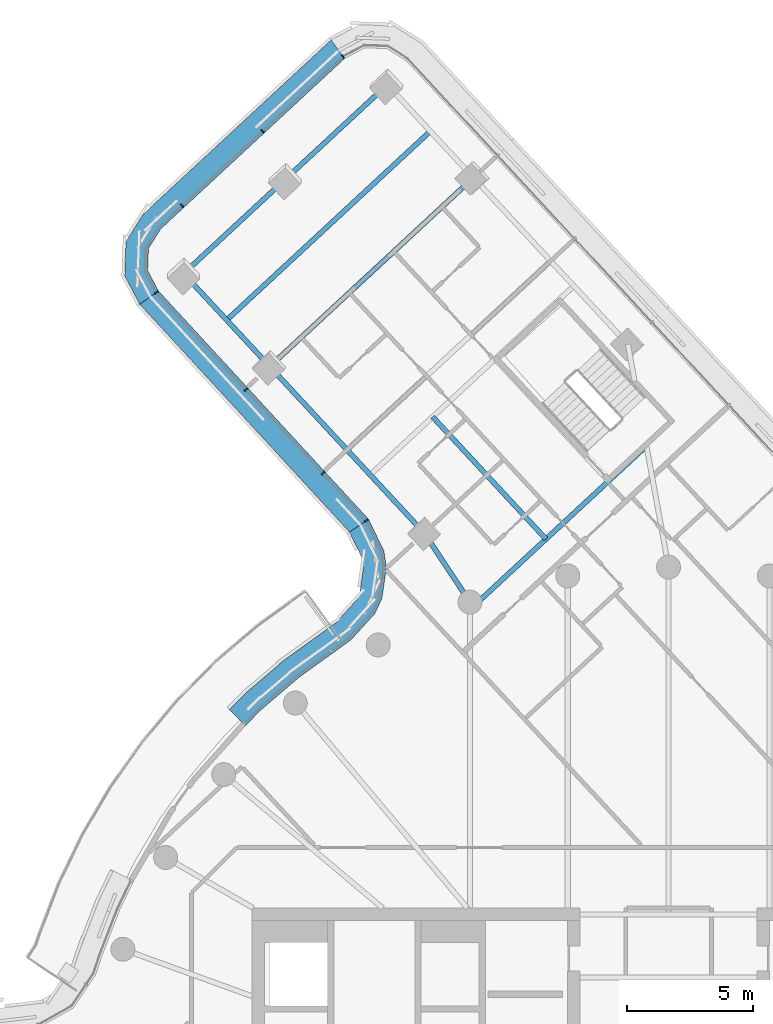
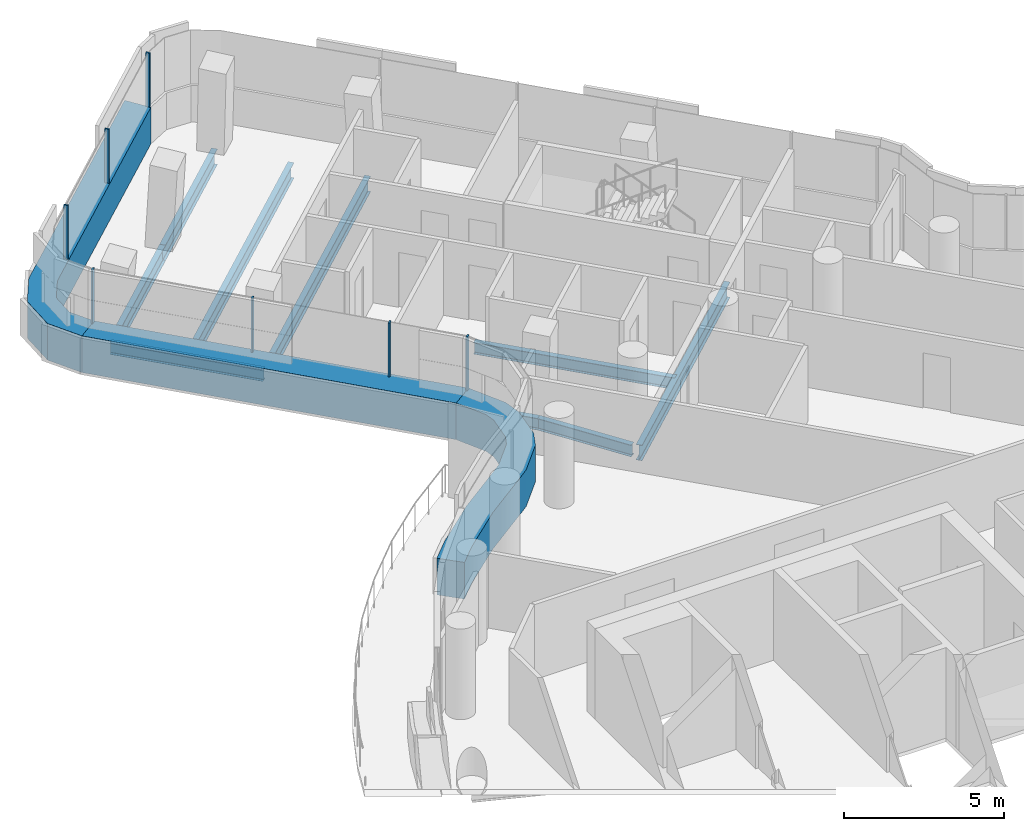
# One storey, part 15 of 34: 10 members, 9 beams, 3 elements without a shape of their own.
"""IFC4 building model written with IfcOpenShell, lengths in metres."""

from ifc_helpers import new_model, si_unit, direction, frame, origin, origin_2d, place, context, subcontext, project, spatial, polyline, rectangle, i_section, outline, extrude, material, layer, layer_set, material_profile, profile_set, type_object, element, aggregate, save


model = new_model("IFC4")

# Units and contexts
model_context = context("Model", 3, precision=1e-05, world=origin(), true_north=direction((0.0, 1.0)))
body_context = subcontext(model_context, "Body", "Model", "MODEL_VIEW")
ifc_project = project(units=[si_unit("LENGTHUNIT", "METRE"), si_unit("AREAUNIT", "SQUARE_METRE"), si_unit("VOLUMEUNIT", "CUBIC_METRE"), si_unit("PLANEANGLEUNIT", "RADIAN"), si_unit("MASSUNIT", "GRAM", prefix="KILO")], contexts=[model_context])

# Site, building, storey
site_placement = place(None, origin())
site = spatial("IfcSite", under=ifc_project, at=site_placement, CompositionType="ELEMENT")
building_placement = place(site_placement, origin())
building = spatial("IfcBuilding", under=site, at=building_placement, Name="Tamarind Cross Interchange Tower", CompositionType="ELEMENT")
storey_placement = place(building_placement, frame((0.0, 0.0, 189.699951171875)))
storey = spatial("IfcBuildingStorey", under=building, at=storey_placement, Name="L47", CompositionType="ELEMENT", Elevation=189.699951171875)

# Beams
ifc_material_1 = material(Name="Steel Q355B", Category="steel")
ifc_material_profile_1 = material_profile(ifc_material_1, i_section(OverallWidth=0.198974609375, OverallDepth=0.446044921875, WebThickness=0.008056640625, FlangeThickness=0.011962890625, FilletRadius=0.012939453125, at=origin_2d()), Name="HN 446x199x8x12")
ifc_profile_set_1 = profile_set([ifc_material_profile_1], Name="Steel Q355B")
beam_type_1 = type_object("IfcBeamType", Name="Composite beam HN 446x199x8x12 Q355B", PredefinedType="BEAM", material=ifc_profile_set_1)
beam_1_placement = place(storey_placement, frame((-19.207763671875, 34.62646484375, -0.363037109375), z_axis=(0.679919112762, -0.733287119824, 0.0), x_axis=(0.733287119824, 0.679919112762, 0.0)))
element("IfcBeam", 1, at=beam_1_placement, inside=storey, type_object=beam_type_1, Name="Beam N-edgeep2", PredefinedType="BEAM", context=body_context, shape_type="SweptSolid", body=[
    extrude(i_section(OverallWidth=0.198974609375, OverallDepth=0.446044921875, WebThickness=0.008056640625, FlangeThickness=0.011962890625, FilletRadius=0.012939453125, at=origin_2d()), origin(), (0.0, 0.0, 1.0), 5.018310546875),
])
beam_2_placement = place(storey_placement, frame((-15.795654296875, 30.946533203125, -0.363037109375), z_axis=(0.679924447682, -0.73328217314, 0.0), x_axis=(0.73328217314, 0.679924447682, 0.0)))
element("IfcBeam", 2, at=beam_2_placement, inside=storey, type_object=beam_type_1, Name="Beam N-edgeep3", PredefinedType="BEAM", context=body_context, shape_type="SweptSolid", body=[
    extrude(i_section(OverallWidth=0.198974609375, OverallDepth=0.446044921875, WebThickness=0.008056640625, FlangeThickness=0.011962890625, FilletRadius=0.012939453125, at=origin_2d()), origin(), (0.0, 0.0, 1.0), 9.0),
])
beam_3_placement = place(storey_placement, frame((-9.67626953125, 24.346923828125, -0.363037109375), z_axis=(0.551999403205, -0.833844505206, 0.0), x_axis=(0.833844505206, 0.551999403205, 0.0)))
element("IfcBeam", 3, at=beam_3_placement, inside=storey, type_object=beam_type_1, Name="Beam N-linkep", PredefinedType="BEAM", context=body_context, shape_type="SweptSolid", body=[
    extrude(i_section(OverallWidth=0.198974609375, OverallDepth=0.446044921875, WebThickness=0.008056640625, FlangeThickness=0.011962890625, FilletRadius=0.012939453125, at=origin_2d()), origin(), (0.0, 0.0, 1.0), 3.278564453125),
])
beam_4_placement = place(storey_placement, frame((-4.855712890625, 24.111572265625, -0.363037109375), z_axis=(-0.679914611684, 0.733291293293, 0.0), x_axis=(-0.733291293293, -0.679914611684, 0.0)))
element("IfcBeam", 4, at=beam_4_placement, inside=storey, type_object=beam_type_1, Name="Beam N-stripp", PredefinedType="BEAM", context=body_context, shape_type="SweptSolid", body=[
    extrude(i_section(OverallWidth=0.198974609375, OverallDepth=0.446044921875, WebThickness=0.008056640625, FlangeThickness=0.011962890625, FilletRadius=0.012939453125, at=origin_2d()), origin(), (0.0, 0.0, 1.0), 6.60009765625),
])
ifc_material_profile_2 = material_profile(ifc_material_1, i_section(OverallWidth=0.198974609375, OverallDepth=0.595947265625, WebThickness=0.010009765625, FlangeThickness=0.014892578125, FilletRadius=0.012939453125, at=origin_2d()), Name="HN 596x199x10x15")
ifc_profile_set_2 = profile_set([ifc_material_profile_2], Name="Steel Q355B")
beam_type_2 = type_object("IfcBeamType", Name="Composite beam HN 596x199x10x15 Q355B", PredefinedType="BEAM", material=ifc_profile_set_2)
beam_5_placement = place(storey_placement, frame((-11.1416015625, 42.10546875, -0.43798828125), z_axis=(-0.733281838279, -0.679924808821, 0.0), x_axis=(0.679924808821, -0.733281838279, 0.0)))
element("IfcBeam", 5, at=beam_5_placement, inside=storey, type_object=beam_type_2, Name="Beam N-tip0", PredefinedType="BEAM", context=body_context, shape_type="SweptSolid", body=[
    extrude(i_section(OverallWidth=0.198974609375, OverallDepth=0.595947265625, WebThickness=0.010009765625, FlangeThickness=0.014892578125, FilletRadius=0.012939453125, at=origin_2d()), origin(), (0.0, 0.0, 1.0), 5.499755859375),
])
beam_6_placement = place(storey_placement, frame((-15.174560546875, 38.365966796875, -0.43798828125), z_axis=(-0.73330235877, -0.679902677317, 0.0), x_axis=(0.679902677317, -0.73330235877, 0.0)))
element("IfcBeam", 6, at=beam_6_placement, inside=storey, type_object=beam_type_2, Name="Beam N-tip1", PredefinedType="BEAM", context=body_context, shape_type="SweptSolid", body=[
    extrude(i_section(OverallWidth=0.198974609375, OverallDepth=0.595947265625, WebThickness=0.010009765625, FlangeThickness=0.014892578125, FilletRadius=0.012939453125, at=origin_2d()), origin(), (0.0, 0.0, 1.0), 5.5),
])
beam_7_placement = place(storey_placement, frame((-0.8759765625, 27.8017578125, -0.43798828125), z_axis=(-0.733295423835, -0.679910156846, 0.0), x_axis=(0.679910156846, -0.733295423835, 0.0)))
element("IfcBeam", 7, at=beam_7_placement, inside=storey, type_object=beam_type_2, Name="Beam N-x268", PredefinedType="BEAM", context=body_context, shape_type="SweptSolid", body=[
    extrude(i_section(OverallWidth=0.198974609375, OverallDepth=0.595947265625, WebThickness=0.010009765625, FlangeThickness=0.014892578125, FilletRadius=0.012939453125, at=origin_2d()), origin(), (0.0, 0.0, 1.0), 9.333984375),
])
for number, where, z_axis, x_axis, name in (
    (8, (-7.7294921875, 38.425537109375, -0.43798828125), (-0.733292098775, -0.679913742966, 0.0), (0.679913742966, -0.733292098775, 0.0), "Beam N-x393"),
    (9, (-9.435546875, 40.265380859375, -0.43798828125), (-0.733292098775, -0.679913742966, 0.0), (0.679913742966, -0.733292098775, 0.0), "Beam N-x418"),
):
    element("IfcBeam", number, at=place(storey_placement, frame(where, z_axis=z_axis, x_axis=x_axis)), inside=storey, type_object=beam_type_2, Name=name, PredefinedType="BEAM", context=body_context, shape_type="SweptSolid", body=[
        extrude(i_section(OverallWidth=0.198974609375, OverallDepth=0.595947265625, WebThickness=0.010009765625, FlangeThickness=0.014892578125, FilletRadius=0.012939453125, at=origin_2d()), origin(), (0.0, 0.0, 1.0), 11.0),
    ])

# Curtain wall, member
ifc_material_2 = material(Name="Aluminium 6063-T6", Category="aluminium")
ifc_layer = layer(ifc_material_2, 0.139892578125)
ifc_layer_set = layer_set([ifc_layer], Name="Aluminium 6063-T6")
curtain_wall_type = type_object("IfcCurtainWallType", Name="Hotel curtain wall, 4.5 m bays", PredefinedType="NOTDEFINED", material=ifc_layer_set)
curtain_wall_1_placement = place(storey_placement, origin())
curtain_wall_1 = element("IfcCurtainWall", 10, at=curtain_wall_1_placement, inside=storey, type_object=curtain_wall_type, Name="CWS-L47-04", PredefinedType="NOTDEFINED")
ifc_material_3 = material(Name="Aluminium and insulated spandrel panel", Category="aluminium")
member_type_1 = type_object("IfcMemberType", Name="Floor-edge blade transom", PredefinedType="USERDEFINED", material=ifc_material_3)
member_1_placement = place(storey_placement, origin())
member_1 = element("IfcMember", 11, at=member_1_placement, type_object=member_type_1, Name="CWT-L47-04", ObjectType="TRANSOM", PredefinedType="USERDEFINED", context=body_context, shape_type="SweptSolid", body=[
    extrude(outline(polyline([(-12.83740234375, 43.14111328125), (-20.112548828125, 36.395751953125), (-20.599853515625, 35.620849609375), (-20.6328125, 34.746826171875), (-20.205078125, 33.93701171875), (-20.9462890625, 33.413330078125), (-21.541259765625, 34.539794921875), (-21.489990234375, 35.895751953125), (-20.811279296875, 36.97509765625), (-13.362548828125, 43.881591796875), (-12.83740234375, 43.14111328125)])), origin(), (0.0, 0.0, 1.0), 1.400146484375),
])

curtain_wall_2_placement = place(storey_placement, origin())
curtain_wall_2 = element("IfcCurtainWall", 12, at=curtain_wall_2_placement, inside=storey, type_object=curtain_wall_type, Name="CWS-L47-05", PredefinedType="NOTDEFINED")
member_2_placement = place(storey_placement, origin())
member_2 = element("IfcMember", 13, at=member_2_placement, type_object=member_type_1, Name="CWT-L47-05", ObjectType="TRANSOM", PredefinedType="USERDEFINED", context=body_context, shape_type="SweptSolid", body=[
    extrude(outline(polyline([(-20.205078125, 33.93701171875), (-11.88623046875, 24.901123046875), (-12.638427734375, 24.38916015625), (-20.9462890625, 33.413330078125), (-20.205078125, 33.93701171875)])), origin(), (0.0, 0.0, 1.0), 1.400146484375),
])

curtain_wall_3_placement = place(storey_placement, origin())
curtain_wall_3 = element("IfcCurtainWall", 14, at=curtain_wall_3_placement, inside=storey, type_object=curtain_wall_type, Name="CWS-L47-06", PredefinedType="NOTDEFINED")
member_3_placement = place(storey_placement, origin())
member_3 = element("IfcMember", 15, at=member_3_placement, type_object=member_type_1, Name="CWT-L47-06-0", ObjectType="TRANSOM", PredefinedType="USERDEFINED", context=body_context, shape_type="SweptSolid", body=[
    extrude(outline(polyline([(-11.88623046875, 24.901123046875), (-11.27783203125, 23.64404296875), (-11.17626953125, 22.990234375), (-11.35400390625, 21.75634765625), (-11.635498046875, 21.15771484375), (-12.564208984375, 20.133544921875), (-13.03466796875, 19.789306640625), (-14.634521484375, 18.636474609375), (-16.12353515625, 17.3642578125), (-16.7587890625, 16.723388671875), (-17.39599609375, 17.359130859375), (-16.736572265625, 18.0244140625), (-15.19091796875, 19.344970703125), (-13.5634765625, 20.517333984375), (-13.169677734375, 20.8056640625), (-12.392578125, 21.66259765625), (-12.2255859375, 22.017578125), (-12.08642578125, 22.9853515625), (-12.146484375, 23.373046875), (-12.638427734375, 24.38916015625), (-11.88623046875, 24.901123046875)])), origin(), (0.0, 0.0, 1.0), 1.400146484375),
])

# Member
ifc_material_profile_3 = material_profile(ifc_material_2, rectangle(XDim=0.06005859375, YDim=0.139892578125, at=origin_2d()), Name="Mullion CW2")
ifc_profile_set_3 = profile_set([ifc_material_profile_3], Name="Aluminium 6063-T6")
member_type_2 = type_object("IfcMemberType", Name="Mullion CW2", PredefinedType="MULLION", material=ifc_profile_set_3)
member_4_placement = place(storey_placement, frame((-12.895751953125, 43.223388671875, 1.400146484375), z_axis=(0.0, 0.0, 1.0), x_axis=(-0.815766274699, -0.578381694959, 0.0)))
member_4 = element("IfcMember", 16, at=member_4_placement, type_object=member_type_2, Name="CWM-L47-04-00", PredefinedType="MULLION", context=body_context, shape_type="SweptSolid", body=[
    extrude(rectangle(XDim=0.06005859375, YDim=0.139892578125, at=origin_2d()), origin(), (0.0, 0.0, 1.0), 2.059814453125),
])

member_5_placement = place(storey_placement, frame((-16.082275390625, 40.268798828125, 1.400146484375), z_axis=(0.0, 0.0, 1.0), x_axis=(-0.73329332084, -0.679912424958, 0.0)))
member_5 = element("IfcMember", 17, at=member_5_placement, type_object=member_type_2, Name="CWM-L47-04-01", PredefinedType="MULLION", context=body_context, shape_type="SweptSolid", body=[
    extrude(rectangle(XDim=0.06005859375, YDim=0.139892578125, at=origin_2d()), origin(), (0.0, 0.0, 1.0), 2.059814453125),
])

member_6_placement = place(storey_placement, frame((-19.26904296875, 37.314208984375, 1.400146484375), z_axis=(0.0, 0.0, 1.0), x_axis=(-0.73329332084, -0.679912424958, 0.0)))
member_6 = element("IfcMember", 18, at=member_6_placement, type_object=member_type_2, Name="CWM-L47-04-02", PredefinedType="MULLION", context=body_context, shape_type="SweptSolid", body=[
    extrude(rectangle(XDim=0.06005859375, YDim=0.139892578125, at=origin_2d()), origin(), (0.0, 0.0, 1.0), 2.059814453125),
])

aggregate(curtain_wall_1, [member_4, member_5, member_6, member_1])

member_7_placement = place(storey_placement, frame((-20.287353515625, 33.878662109375, 1.400146484375), z_axis=(0.0, 0.0, 1.0), x_axis=(0.576935747349, -0.816789534354, 0.0)))
member_7 = element("IfcMember", 19, at=member_7_placement, type_object=member_type_2, Name="CWM-L47-05-00", PredefinedType="MULLION", context=body_context, shape_type="SweptSolid", body=[
    extrude(rectangle(XDim=0.06005859375, YDim=0.139892578125, at=origin_2d()), origin(), (0.0, 0.0, 1.0), 2.059814453125),
])

member_8_placement = place(storey_placement, frame((-16.743408203125, 30.029296875, 1.400146484375), z_axis=(0.0, 0.0, 1.0), x_axis=(0.677310265309, -0.735697495243, 0.0)))
member_8 = element("IfcMember", 20, at=member_8_placement, type_object=member_type_2, Name="CWM-L47-05-01", PredefinedType="MULLION", context=body_context, shape_type="SweptSolid", body=[
    extrude(rectangle(XDim=0.06005859375, YDim=0.139892578125, at=origin_2d()), origin(), (0.0, 0.0, 1.0), 2.059814453125),
])

member_9_placement = place(storey_placement, frame((-13.694580078125, 26.7177734375, 1.400146484375), z_axis=(0.0, 0.0, 1.0), x_axis=(0.677310265309, -0.735697495243, 0.0)))
member_9 = element("IfcMember", 21, at=member_9_placement, type_object=member_type_2, Name="CWM-L47-05-02", PredefinedType="MULLION", context=body_context, shape_type="SweptSolid", body=[
    extrude(rectangle(XDim=0.06005859375, YDim=0.139892578125, at=origin_2d()), origin(), (0.0, 0.0, 1.0), 2.059814453125),
])

aggregate(curtain_wall_2, [member_7, member_8, member_9, member_2])

member_10_placement = place(storey_placement, frame((-11.9697265625, 24.84423828125, 1.400146484375), z_axis=(0.0, 0.0, 1.0), x_axis=(0.562536026113, -0.826772773696, 0.0)))
member_10 = element("IfcMember", 22, at=member_10_placement, type_object=member_type_2, Name="CWM-L47-06-00", PredefinedType="MULLION", context=body_context, shape_type="SweptSolid", body=[
    extrude(rectangle(XDim=0.06005859375, YDim=0.139892578125, at=origin_2d()), origin(), (0.0, 0.0, 1.0), 2.059814453125),
])

aggregate(curtain_wall_3, [member_10, member_3])

save(model, "model.ifc")
